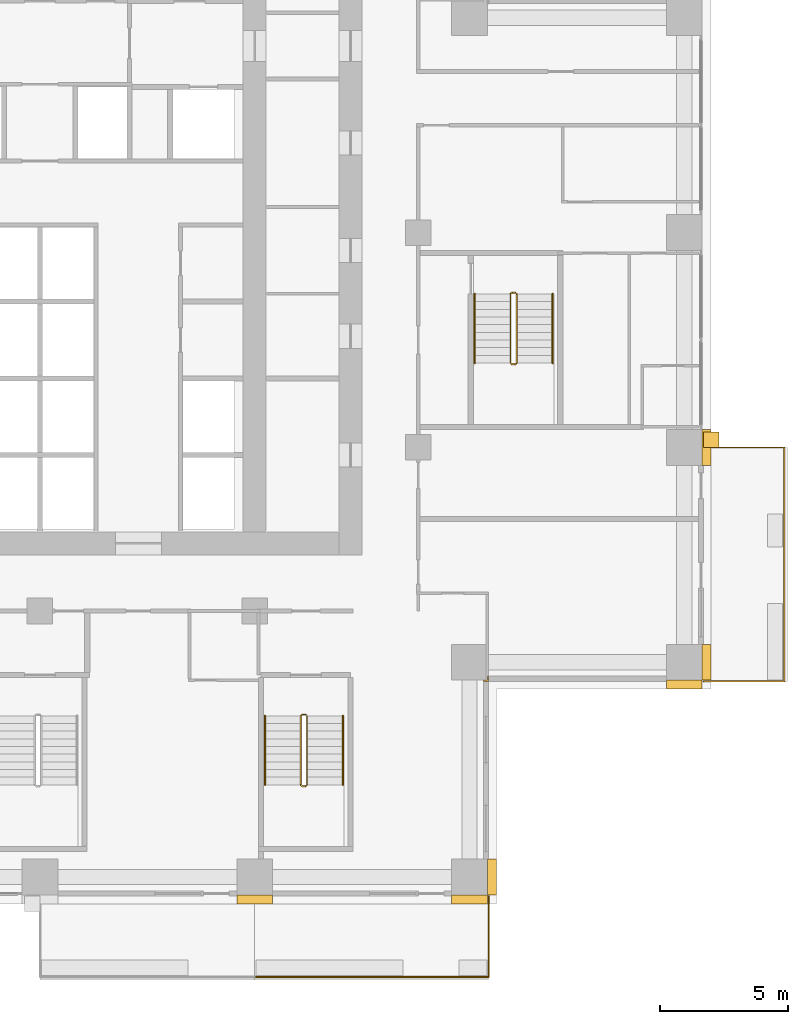
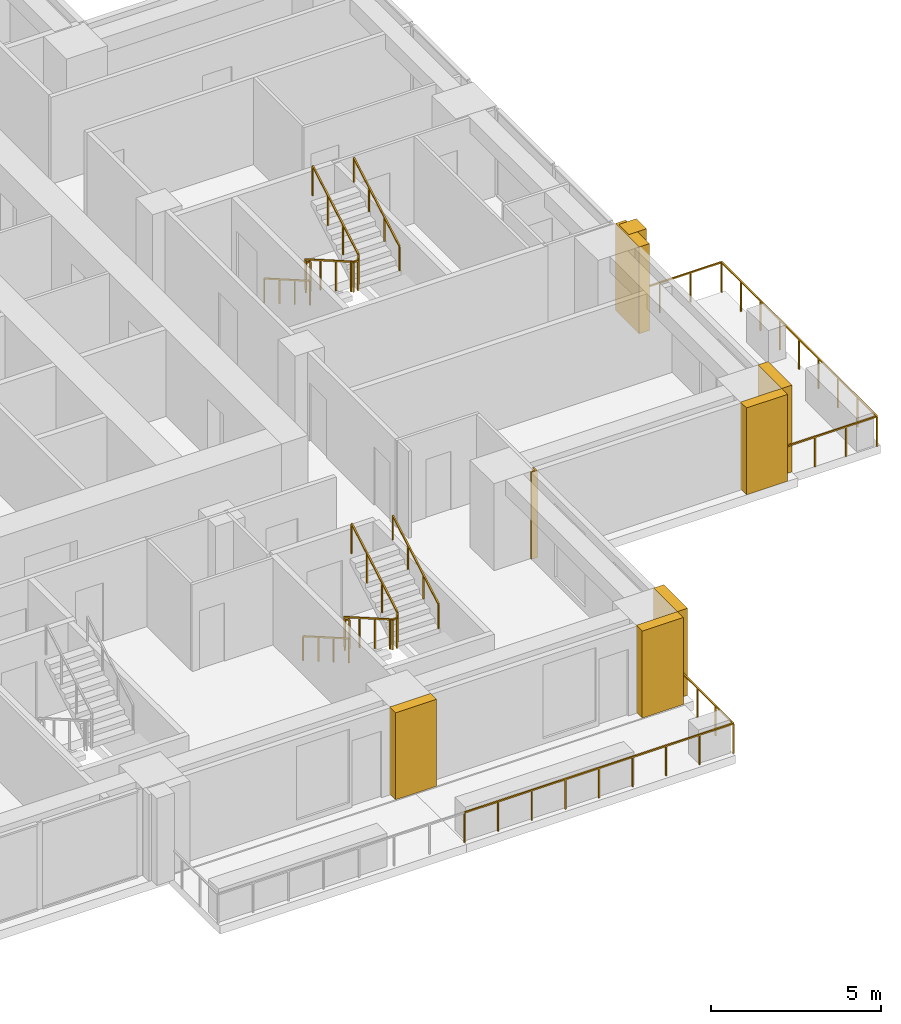
# One storey, part 16 of 17: 8 coverings, 8 railings.
"""IFC4 building model written with IfcOpenShell, lengths in metres."""

from ifc_helpers import new_model, si_unit, direction, frame, origin, origin_2d, place, context, subcontext, project, spatial, polyline, rectangle, outline, extrude, material, type_object, element, save


model = new_model("IFC4")

# Units and contexts
model_context = context("Model", 3, precision=1e-05, world=origin(), true_north=direction((0.0, 1.0)))
body_context = subcontext(model_context, "Body", "Model", "MODEL_VIEW")
ifc_project = project(units=[si_unit("LENGTHUNIT", "METRE"), si_unit("AREAUNIT", "SQUARE_METRE"), si_unit("VOLUMEUNIT", "CUBIC_METRE"), si_unit("PLANEANGLEUNIT", "RADIAN"), si_unit("MASSUNIT", "GRAM", prefix="KILO")], contexts=[model_context])

# Site, building, storey
site_placement = place(None, origin())
site = spatial("IfcSite", under=ifc_project, at=site_placement, CompositionType="ELEMENT")
building_placement = place(site_placement, origin())
building = spatial("IfcBuilding", under=site, at=building_placement, Name="Vermilion Ogive Tower", CompositionType="ELEMENT")
storey_placement = place(building_placement, frame((0.0, 0.0, 65.550048828125)))
storey = spatial("IfcBuildingStorey", under=building, at=storey_placement, Name="L15", CompositionType="ELEMENT", Elevation=65.550048828125)

# Railings
ifc_material_1 = material(Name="Stainless steel and glass", Category="steel")
railing_type_1 = type_object("IfcRailingType", Name="Balcony guard", PredefinedType="GUARDRAIL", material=ifc_material_1)
railing_1_placement = place(storey_placement, frame((8.39990234375, -24.909912109375, -0.0400390625)))
element("IfcRailing", 1, at=railing_1_placement, inside=storey, type_object=railing_type_1, Name="Guard S04", PredefinedType="GUARDRAIL", context=body_context, shape_type="SweptSolid", body=[
    extrude(rectangle(XDim=0.048095703125, YDim=0.048095703125, at=origin_2d()), frame((0.0, 0.0, 1.076171875), z_axis=(1.0, 0.0, 0.0), x_axis=(0.0, 1.0, 0.0)), (0.0, 0.0, 1.0), 9.150146484375),
    extrude(rectangle(XDim=0.048095703125, YDim=0.048095703125, at=origin_2d()), frame((9.150146484375, 0.0, 1.076171875), z_axis=(0.0, 1.0, 0.0), x_axis=(-1.0, 0.0, 0.0)), (0.0, 0.0, 1.0), 3.159912109375),
    extrude(rectangle(XDim=0.0419921875, YDim=0.0419921875, at=origin_2d()), origin(), (0.0, 0.0, 1.0), 1.052001953125),
    extrude(rectangle(XDim=0.0419921875, YDim=0.0419921875, at=origin_2d()), frame((1.143798828125, 0.0, 0.0)), (0.0, 0.0, 1.0), 1.052001953125),
    extrude(rectangle(XDim=0.0419921875, YDim=0.0419921875, at=origin_2d()), frame((2.28759765625, 0.0, 0.0)), (0.0, 0.0, 1.0), 1.052001953125),
    extrude(rectangle(XDim=0.0419921875, YDim=0.0419921875, at=origin_2d()), frame((3.431396484375, 0.0, 0.0)), (0.0, 0.0, 1.0), 1.052001953125),
    extrude(rectangle(XDim=0.0419921875, YDim=0.0419921875, at=origin_2d()), frame((4.5751953125, 0.0, 0.0)), (0.0, 0.0, 1.0), 1.052001953125),
    extrude(rectangle(XDim=0.0419921875, YDim=0.0419921875, at=origin_2d()), frame((5.71875, 0.0, 0.0)), (0.0, 0.0, 1.0), 1.052001953125),
    extrude(rectangle(XDim=0.0419921875, YDim=0.0419921875, at=origin_2d()), frame((6.862548828125, 0.0, 0.0)), (0.0, 0.0, 1.0), 1.052001953125),
    extrude(rectangle(XDim=0.0419921875, YDim=0.0419921875, at=origin_2d()), frame((8.00634765625, 0.0, 0.0)), (0.0, 0.0, 1.0), 1.052001953125),
    extrude(rectangle(XDim=0.0419921875, YDim=0.0419921875, at=origin_2d()), frame((9.150146484375, 0.0, 0.0)), (0.0, 0.0, 1.0), 1.052001953125),
    extrude(rectangle(XDim=0.0419921875, YDim=0.0419921875, at=origin_2d()), frame((9.150146484375, 1.05322265625, 0.0)), (0.0, 0.0, 1.0), 1.052001953125),
    extrude(rectangle(XDim=0.0419921875, YDim=0.0419921875, at=origin_2d()), frame((9.150146484375, 2.106689453125, 0.0)), (0.0, 0.0, 1.0), 1.052001953125),
    extrude(rectangle(XDim=0.0419921875, YDim=0.0419921875, at=origin_2d()), frame((9.150146484375, 3.159912109375, 0.0)), (0.0, 0.0, 1.0), 1.052001953125),
])
railing_2_placement = place(storey_placement, frame((25.949951171875, -13.35009765625, -0.0400390625)))
element("IfcRailing", 2, at=railing_2_placement, inside=storey, type_object=railing_type_1, Name="Guard E01", PredefinedType="GUARDRAIL", context=body_context, shape_type="SweptSolid", body=[
    extrude(rectangle(XDim=0.048095703125, YDim=0.048095703125, at=origin_2d()), frame((0.0, 0.0, 1.076171875), z_axis=(1.0, 0.0, 0.0), x_axis=(0.0, 1.0, 0.0)), (0.0, 0.0, 1.0), 3.16015625),
    extrude(rectangle(XDim=0.048095703125, YDim=0.048095703125, at=origin_2d()), frame((3.16015625, 0.0, 1.076171875), z_axis=(0.0, 1.0, 0.0), x_axis=(-1.0, 0.0, 0.0)), (0.0, 0.0, 1.0), 9.150146484375),
    extrude(rectangle(XDim=0.048095703125, YDim=0.048095703125, at=origin_2d()), frame((3.16015625, 9.150146484375, 1.076171875), z_axis=(-1.0, 0.0, 0.0), x_axis=(0.0, -1.0, 0.0)), (0.0, 0.0, 1.0), 3.16015625),
    extrude(rectangle(XDim=0.0419921875, YDim=0.0419921875, at=origin_2d()), origin(), (0.0, 0.0, 1.0), 1.052001953125),
    extrude(rectangle(XDim=0.0419921875, YDim=0.0419921875, at=origin_2d()), frame((1.053466796875, 0.0, 0.0)), (0.0, 0.0, 1.0), 1.052001953125),
    extrude(rectangle(XDim=0.0419921875, YDim=0.0419921875, at=origin_2d()), frame((2.106689453125, 0.0, 0.0)), (0.0, 0.0, 1.0), 1.052001953125),
    extrude(rectangle(XDim=0.0419921875, YDim=0.0419921875, at=origin_2d()), frame((3.16015625, 0.0, 0.0)), (0.0, 0.0, 1.0), 1.052001953125),
    extrude(rectangle(XDim=0.0419921875, YDim=0.0419921875, at=origin_2d()), frame((3.16015625, 1.143798828125, 0.0)), (0.0, 0.0, 1.0), 1.052001953125),
    extrude(rectangle(XDim=0.0419921875, YDim=0.0419921875, at=origin_2d()), frame((3.16015625, 2.28759765625, 0.0)), (0.0, 0.0, 1.0), 1.052001953125),
    extrude(rectangle(XDim=0.0419921875, YDim=0.0419921875, at=origin_2d()), frame((3.16015625, 3.431396484375, 0.0)), (0.0, 0.0, 1.0), 1.052001953125),
    extrude(rectangle(XDim=0.0419921875, YDim=0.0419921875, at=origin_2d()), frame((3.16015625, 4.5751953125, 0.0)), (0.0, 0.0, 1.0), 1.052001953125),
    extrude(rectangle(XDim=0.0419921875, YDim=0.0419921875, at=origin_2d()), frame((3.16015625, 5.71875, 0.0)), (0.0, 0.0, 1.0), 1.052001953125),
    extrude(rectangle(XDim=0.0419921875, YDim=0.0419921875, at=origin_2d()), frame((3.16015625, 6.862548828125, 0.0)), (0.0, 0.0, 1.0), 1.052001953125),
    extrude(rectangle(XDim=0.0419921875, YDim=0.0419921875, at=origin_2d()), frame((3.16015625, 8.00634765625, 0.0)), (0.0, 0.0, 1.0), 1.052001953125),
    extrude(rectangle(XDim=0.0419921875, YDim=0.0419921875, at=origin_2d()), frame((3.16015625, 9.150146484375, 0.0)), (0.0, 0.0, 1.0), 1.052001953125),
    extrude(rectangle(XDim=0.0419921875, YDim=0.0419921875, at=origin_2d()), frame((2.106689453125, 9.150146484375, 0.0)), (0.0, 0.0, 1.0), 1.052001953125),
    extrude(rectangle(XDim=0.0419921875, YDim=0.0419921875, at=origin_2d()), frame((1.053466796875, 9.150146484375, 0.0)), (0.0, 0.0, 1.0), 1.052001953125),
    extrude(rectangle(XDim=0.0419921875, YDim=0.0419921875, at=origin_2d()), frame((0.0, 9.150146484375, 0.0)), (0.0, 0.0, 1.0), 1.052001953125),
])
ifc_material_2 = material(Name="Steel S355 painted", Category="steel")
railing_type_2 = type_object("IfcRailingType", Name="Stair guard 1100", PredefinedType="GUARDRAIL", material=ifc_material_2)
railing_3_placement = place(storey_placement, frame((10.39990234375, -14.64990234375, 0.0)))
element("IfcRailing", 3, at=railing_3_placement, inside=storey, type_object=railing_type_2, Name="L15 ST5 stair guard 4", PredefinedType="GUARDRAIL", context=body_context, shape_type="SweptSolid", body=[
    extrude(rectangle(XDim=0.048095703125, YDim=0.048095703125, at=origin_2d()), frame((0.0, 0.0, 1.076171875), z_axis=(-1.0, 0.0, 0.0), x_axis=(0.0, -1.0, 0.0)), (0.0, 0.0, 1.0), 0.14990234375),
    extrude(rectangle(XDim=0.048095703125, YDim=0.048095703125, at=origin_2d()), frame((-0.14990234375, 0.0, 1.076171875), z_axis=(-0.268603158521, -0.268603158521, 0.925043072762), x_axis=(0.707106781187, -0.707106781187, 0.0)), (0.0, 0.0, 1.0), 0.186279296875),
    extrude(rectangle(XDim=0.048095703125, YDim=0.048095703125, at=origin_2d()), frame((-0.199951171875, -0.050048828125, 1.24853515625), z_axis=(0.0, -0.866903762492, 0.498475542607), x_axis=(1.0, 0.0, 0.0)), (0.0, 0.0, 1.0), 3.114501953125),
    extrude(rectangle(XDim=0.048095703125, YDim=0.048095703125, at=origin_2d()), frame((-0.199951171875, -2.75, 2.80078125), z_axis=(0.707106781187, -0.707106781187, 0.0), x_axis=(0.707106781187, 0.707106781187, 0.0)), (0.0, 0.0, 1.0), 0.07080078125),
    extrude(rectangle(XDim=0.048095703125, YDim=0.048095703125, at=origin_2d()), frame((-0.14990234375, -2.800048828125, 2.80078125), z_axis=(1.0, 0.0, 0.0), x_axis=(0.0, 1.0, 0.0)), (0.0, 0.0, 1.0), 0.14990234375),
    extrude(rectangle(XDim=0.048095703125, YDim=0.048095703125, at=origin_2d()), frame((0.0, -2.800048828125, 2.80078125), z_axis=(0.268277960024, 0.268277960024, 0.925231793839), x_axis=(-0.707106781187, 0.707106781187, 0.0)), (0.0, 0.0, 1.0), 0.1865234375),
    extrude(rectangle(XDim=0.048095703125, YDim=0.048095703125, at=origin_2d()), frame((0.050048828125, -2.75, 2.9736328125), z_axis=(0.0, 0.866903762492, 0.498475542607), x_axis=(-1.0, 0.0, 0.0)), (0.0, 0.0, 1.0), 3.114501953125),
    extrude(rectangle(XDim=0.0419921875, YDim=0.0419921875, at=origin_2d()), origin(), (0.0, 0.0, 1.0), 1.052001953125),
    extrude(rectangle(XDim=0.0419921875, YDim=0.0419921875, at=origin_2d()), frame((-0.14990234375, 0.0, 0.0)), (0.0, 0.0, 1.0), 1.052001953125),
    extrude(rectangle(XDim=0.0419921875, YDim=0.0419921875, at=origin_2d()), frame((-0.199951171875, -0.050048828125, 0.17236328125)), (0.0, 0.0, 1.0), 1.052001953125),
    extrude(rectangle(XDim=0.0419921875, YDim=0.0419921875, at=origin_2d()), frame((-0.199951171875, -0.949951171875, 0.68994140625)), (0.0, 0.0, 1.0), 1.052001953125),
    extrude(rectangle(XDim=0.0419921875, YDim=0.0419921875, at=origin_2d()), frame((-0.199951171875, -1.85009765625, 1.207275390625)), (0.0, 0.0, 1.0), 1.052001953125),
    extrude(rectangle(XDim=0.0419921875, YDim=0.0419921875, at=origin_2d()), frame((-0.199951171875, -2.75, 1.724853515625)), (0.0, 0.0, 1.0), 1.052001953125),
    extrude(rectangle(XDim=0.0419921875, YDim=0.0419921875, at=origin_2d()), frame((-0.14990234375, -2.800048828125, 1.724853515625)), (0.0, 0.0, 1.0), 1.052001953125),
    extrude(rectangle(XDim=0.0419921875, YDim=0.0419921875, at=origin_2d()), frame((0.0, -2.800048828125, 1.724853515625)), (0.0, 0.0, 1.0), 1.052001953125),
    extrude(rectangle(XDim=0.0419921875, YDim=0.0419921875, at=origin_2d()), frame((0.050048828125, -2.75, 1.8974609375)), (0.0, 0.0, 1.0), 1.052001953125),
    extrude(rectangle(XDim=0.0419921875, YDim=0.0419921875, at=origin_2d()), frame((0.050048828125, -1.85009765625, 2.4150390625)), (0.0, 0.0, 1.0), 1.052001953125),
    extrude(rectangle(XDim=0.0419921875, YDim=0.0419921875, at=origin_2d()), frame((0.050048828125, -0.949951171875, 2.932373046875)), (0.0, 0.0, 1.0), 1.052001953125),
    extrude(rectangle(XDim=0.0419921875, YDim=0.0419921875, at=origin_2d()), frame((0.050048828125, -0.050048828125, 3.449951171875)), (0.0, 0.0, 1.0), 1.052001953125),
])
railing_4_placement = place(storey_placement, frame((18.60009765625, 1.85009765625, 0.0)))
element("IfcRailing", 4, at=railing_4_placement, inside=storey, type_object=railing_type_2, Name="L15 ST8 stair guard 4", PredefinedType="GUARDRAIL", context=body_context, shape_type="SweptSolid", body=[
    extrude(rectangle(XDim=0.048095703125, YDim=0.048095703125, at=origin_2d()), frame((0.0, 0.0, 1.076171875), z_axis=(-1.0, 0.0, 0.0), x_axis=(0.0, -1.0, 0.0)), (0.0, 0.0, 1.0), 0.150146484375),
    extrude(rectangle(XDim=0.048095703125, YDim=0.048095703125, at=origin_2d()), frame((-0.150146484375, 0.0, 1.076171875), z_axis=(-0.268603158521, -0.268603158521, 0.925043072762), x_axis=(0.707106781187, -0.707106781187, 0.0)), (0.0, 0.0, 1.0), 0.186279296875),
    extrude(rectangle(XDim=0.048095703125, YDim=0.048095703125, at=origin_2d()), frame((-0.2001953125, -0.050048828125, 1.24853515625), z_axis=(0.0, -0.866903762492, 0.498475542607), x_axis=(1.0, 0.0, 0.0)), (0.0, 0.0, 1.0), 3.114501953125),
    extrude(rectangle(XDim=0.048095703125, YDim=0.048095703125, at=origin_2d()), frame((-0.2001953125, -2.75, 2.80078125), z_axis=(0.707106781187, -0.707106781187, 0.0), x_axis=(0.707106781187, 0.707106781187, 0.0)), (0.0, 0.0, 1.0), 0.07080078125),
    extrude(rectangle(XDim=0.048095703125, YDim=0.048095703125, at=origin_2d()), frame((-0.150146484375, -2.800048828125, 2.80078125), z_axis=(1.0, 0.0, 0.0), x_axis=(0.0, 1.0, 0.0)), (0.0, 0.0, 1.0), 0.150146484375),
    extrude(rectangle(XDim=0.048095703125, YDim=0.048095703125, at=origin_2d()), frame((0.0, -2.800048828125, 2.80078125), z_axis=(0.267062837333, 0.268371968888, 0.925556009775), x_axis=(-0.708833529934, 0.705375805398, 0.0)), (0.0, 0.0, 1.0), 0.1865234375),
    extrude(rectangle(XDim=0.048095703125, YDim=0.048095703125, at=origin_2d()), frame((0.0498046875, -2.75, 2.9736328125), z_axis=(0.0, 0.866903762492, 0.498475542607), x_axis=(-1.0, 0.0, 0.0)), (0.0, 0.0, 1.0), 3.114501953125),
    extrude(rectangle(XDim=0.0419921875, YDim=0.0419921875, at=origin_2d()), origin(), (0.0, 0.0, 1.0), 1.052001953125),
    extrude(rectangle(XDim=0.0419921875, YDim=0.0419921875, at=origin_2d()), frame((-0.150146484375, 0.0, 0.0)), (0.0, 0.0, 1.0), 1.052001953125),
    extrude(rectangle(XDim=0.0419921875, YDim=0.0419921875, at=origin_2d()), frame((-0.2001953125, -0.050048828125, 0.17236328125)), (0.0, 0.0, 1.0), 1.052001953125),
    extrude(rectangle(XDim=0.0419921875, YDim=0.0419921875, at=origin_2d()), frame((-0.2001953125, -0.949951171875, 0.68994140625)), (0.0, 0.0, 1.0), 1.052001953125),
    extrude(rectangle(XDim=0.0419921875, YDim=0.0419921875, at=origin_2d()), frame((-0.2001953125, -1.85009765625, 1.207275390625)), (0.0, 0.0, 1.0), 1.052001953125),
    extrude(rectangle(XDim=0.0419921875, YDim=0.0419921875, at=origin_2d()), frame((-0.2001953125, -2.75, 1.724853515625)), (0.0, 0.0, 1.0), 1.052001953125),
    extrude(rectangle(XDim=0.0419921875, YDim=0.0419921875, at=origin_2d()), frame((-0.150146484375, -2.800048828125, 1.724853515625)), (0.0, 0.0, 1.0), 1.052001953125),
    extrude(rectangle(XDim=0.0419921875, YDim=0.0419921875, at=origin_2d()), frame((0.0, -2.800048828125, 1.724853515625)), (0.0, 0.0, 1.0), 1.052001953125),
    extrude(rectangle(XDim=0.0419921875, YDim=0.0419921875, at=origin_2d()), frame((0.0498046875, -2.75, 1.8974609375)), (0.0, 0.0, 1.0), 1.052001953125),
    extrude(rectangle(XDim=0.0419921875, YDim=0.0419921875, at=origin_2d()), frame((0.0498046875, -1.85009765625, 2.4150390625)), (0.0, 0.0, 1.0), 1.052001953125),
    extrude(rectangle(XDim=0.0419921875, YDim=0.0419921875, at=origin_2d()), frame((0.0498046875, -0.949951171875, 2.932373046875)), (0.0, 0.0, 1.0), 1.052001953125),
    extrude(rectangle(XDim=0.0419921875, YDim=0.0419921875, at=origin_2d()), frame((0.0498046875, -0.050048828125, 3.449951171875)), (0.0, 0.0, 1.0), 1.052001953125),
])
ifc_material_3 = material(Name="Stainless steel", Category="steel")
railing_type_3 = type_object("IfcRailingType", Name="Stair handrail 900", PredefinedType="HANDRAIL", material=ifc_material_3)
railing_5_placement = place(storey_placement, frame((8.800048828125, -14.699951171875, 0.17236328125)))
element("IfcRailing", 5, at=railing_5_placement, inside=storey, type_object=railing_type_3, Name="L15 ST5 stair handrail 1", PredefinedType="HANDRAIL", context=body_context, shape_type="SweptSolid", body=[
    extrude(rectangle(XDim=0.048095703125, YDim=0.048095703125, at=origin_2d()), frame((0.0, 0.0, 0.8759765625), z_axis=(0.0, -0.866903762492, 0.498475542607), x_axis=(1.0, 0.0, 0.0)), (0.0, 0.0, 1.0), 3.114501953125),
    extrude(rectangle(XDim=0.0419921875, YDim=0.0419921875, at=origin_2d()), origin(), (0.0, 0.0, 1.0), 0.851806640625),
    extrude(rectangle(XDim=0.0419921875, YDim=0.0419921875, at=origin_2d()), frame((0.0, -0.89990234375, 0.517578125)), (0.0, 0.0, 1.0), 0.851806640625),
    extrude(rectangle(XDim=0.0419921875, YDim=0.0419921875, at=origin_2d()), frame((0.0, -1.800048828125, 1.034912109375)), (0.0, 0.0, 1.0), 0.851806640625),
    extrude(rectangle(XDim=0.0419921875, YDim=0.0419921875, at=origin_2d()), frame((0.0, -2.699951171875, 1.552490234375)), (0.0, 0.0, 1.0), 0.851806640625),
])
railing_6_placement = place(storey_placement, frame((11.85009765625, -17.39990234375, 1.8974609375)))
element("IfcRailing", 6, at=railing_6_placement, inside=storey, type_object=railing_type_3, Name="L15 ST5 stair handrail 2", PredefinedType="HANDRAIL", context=body_context, shape_type="SweptSolid", body=[
    extrude(rectangle(XDim=0.048095703125, YDim=0.048095703125, at=origin_2d()), frame((0.0, 0.0, 0.8759765625), z_axis=(0.0, 0.866903762492, 0.498475542607), x_axis=(-1.0, 0.0, 0.0)), (0.0, 0.0, 1.0), 3.114501953125),
    extrude(rectangle(XDim=0.0419921875, YDim=0.0419921875, at=origin_2d()), origin(), (0.0, 0.0, 1.0), 0.851806640625),
    extrude(rectangle(XDim=0.0419921875, YDim=0.0419921875, at=origin_2d()), frame((0.0, 0.89990234375, 0.517578125)), (0.0, 0.0, 1.0), 0.851806640625),
    extrude(rectangle(XDim=0.0419921875, YDim=0.0419921875, at=origin_2d()), frame((0.0, 1.800048828125, 1.034912109375)), (0.0, 0.0, 1.0), 0.851806640625),
    extrude(rectangle(XDim=0.0419921875, YDim=0.0419921875, at=origin_2d()), frame((0.0, 2.699951171875, 1.552490234375)), (0.0, 0.0, 1.0), 0.851806640625),
])
railing_7_placement = place(storey_placement, frame((17.0, 1.800048828125, 0.17236328125)))
element("IfcRailing", 7, at=railing_7_placement, inside=storey, type_object=railing_type_3, Name="L15 ST8 stair handrail 1", PredefinedType="HANDRAIL", context=body_context, shape_type="SweptSolid", body=[
    extrude(rectangle(XDim=0.048095703125, YDim=0.048095703125, at=origin_2d()), frame((0.0, 0.0, 0.8759765625), z_axis=(0.0, -0.866903762492, 0.498475542607), x_axis=(1.0, 0.0, 0.0)), (0.0, 0.0, 1.0), 3.114501953125),
    extrude(rectangle(XDim=0.0419921875, YDim=0.0419921875, at=origin_2d()), origin(), (0.0, 0.0, 1.0), 0.851806640625),
    extrude(rectangle(XDim=0.0419921875, YDim=0.0419921875, at=origin_2d()), frame((0.0, -0.89990234375, 0.517578125)), (0.0, 0.0, 1.0), 0.851806640625),
    extrude(rectangle(XDim=0.0419921875, YDim=0.0419921875, at=origin_2d()), frame((0.0, -1.800048828125, 1.034912109375)), (0.0, 0.0, 1.0), 0.851806640625),
    extrude(rectangle(XDim=0.0419921875, YDim=0.0419921875, at=origin_2d()), frame((0.0, -2.699951171875, 1.552490234375)), (0.0, 0.0, 1.0), 0.851806640625),
])
railing_8_placement = place(storey_placement, frame((20.050048828125, -0.89990234375, 1.8974609375)))
element("IfcRailing", 8, at=railing_8_placement, inside=storey, type_object=railing_type_3, Name="L15 ST8 stair handrail 2", PredefinedType="HANDRAIL", context=body_context, shape_type="SweptSolid", body=[
    extrude(rectangle(XDim=0.048095703125, YDim=0.048095703125, at=origin_2d()), frame((0.0, 0.0, 0.8759765625), z_axis=(0.0, 0.866903762492, 0.498475542607), x_axis=(-1.0, 0.0, 0.0)), (0.0, 0.0, 1.0), 3.114501953125),
    extrude(rectangle(XDim=0.0419921875, YDim=0.0419921875, at=origin_2d()), origin(), (0.0, 0.0, 1.0), 0.851806640625),
    extrude(rectangle(XDim=0.0419921875, YDim=0.0419921875, at=origin_2d()), frame((0.0, 0.89990234375, 0.517578125)), (0.0, 0.0, 1.0), 0.851806640625),
    extrude(rectangle(XDim=0.0419921875, YDim=0.0419921875, at=origin_2d()), frame((0.0, 1.800048828125, 1.034912109375)), (0.0, 0.0, 1.0), 0.851806640625),
    extrude(rectangle(XDim=0.0419921875, YDim=0.0419921875, at=origin_2d()), frame((0.0, 2.699951171875, 1.552490234375)), (0.0, 0.0, 1.0), 0.851806640625),
])

# Coverings
ifc_material_4 = material(Name="Stone cladding", Category="masonry")
covering_type_1 = type_object("IfcCoveringType", Name="Stone corner buttress", PredefinedType="CLADDING", material=ifc_material_4)
covering_1_placement = place(storey_placement, origin())
element("IfcCovering", 9, at=covering_1_placement, inside=storey, type_object=covering_type_1, Name="Stone crease pier EK", PredefinedType="CLADDING", context=body_context, shape_type="SweptSolid", body=[
    extrude(outline(polyline([(26.550048828125, -4.199951171875), (26.550048828125, -3.60009765625), (25.949951171875, -3.60009765625), (25.949951171875, -4.199951171875), (26.550048828125, -4.199951171875)])), origin(), (0.0, 0.0, 1.0), 3.1298828125),
])
ifc_material_5 = material(Name="Stone cladding", Category="masonry")
covering_type_2 = type_object("IfcCoveringType", Name="Stone pier", PredefinedType="CLADDING", material=ifc_material_5)
covering_2_placement = place(storey_placement, origin())
element("IfcCovering", 10, at=covering_2_placement, inside=storey, type_object=covering_type_2, Name="Stone corner pier X1E1", PredefinedType="CLADDING", context=body_context, shape_type="SweptSolid", body=[
    extrude(outline(polyline([(17.35009765625, -13.300048828125), (17.5, -13.300048828125), (17.5, -13.14990234375), (17.550048828125, -13.14990234375), (17.550048828125, -13.35009765625), (17.35009765625, -13.35009765625), (17.35009765625, -13.300048828125)])), origin(), (0.0, 0.0, 1.0), 3.1298828125),
])
covering_3_placement = place(storey_placement, origin())
element("IfcCovering", 11, at=covering_3_placement, inside=storey, type_object=covering_type_2, Name="Stone pier P+0084-210", PredefinedType="CLADDING", context=body_context, shape_type="SweptSolid", body=[
    extrude(outline(polyline([(9.10009765625, -21.699951171875), (9.10009765625, -22.050048828125), (7.699951171875, -22.050048828125), (7.699951171875, -21.699951171875), (9.10009765625, -21.699951171875), (9.10009765625, -21.699951171875)])), origin(), (0.0, 0.0, 1.0), 3.1298828125),
])
covering_4_placement = place(storey_placement, origin())
element("IfcCovering", 12, at=covering_4_placement, inside=storey, type_object=covering_type_2, Name="Stone pier P+0168-210S", PredefinedType="CLADDING", context=body_context, shape_type="SweptSolid", body=[
    extrude(outline(polyline([(17.5, -21.699951171875), (17.5, -21.699951171875), (17.5, -22.050048828125), (16.10009765625, -22.050048828125), (16.10009765625, -21.699951171875), (16.10009765625, -21.699951171875), (17.5, -21.699951171875)])), origin(), (0.0, 0.0, 1.0), 3.1298828125),
])
covering_5_placement = place(storey_placement, origin())
element("IfcCovering", 13, at=covering_5_placement, inside=storey, type_object=covering_type_2, Name="Stone pier P+0168-210X1", PredefinedType="CLADDING", context=body_context, shape_type="SweptSolid", body=[
    extrude(outline(polyline([(17.85009765625, -21.699951171875), (17.5, -21.699951171875), (17.5, -21.699951171875), (17.5, -20.300048828125), (17.85009765625, -20.300048828125), (17.85009765625, -21.699951171875)])), origin(), (0.0, 0.0, 1.0), 3.1298828125),
])
covering_6_placement = place(storey_placement, origin())
element("IfcCovering", 14, at=covering_6_placement, inside=storey, type_object=covering_type_2, Name="Stone pier P+0252-042", PredefinedType="CLADDING", context=body_context, shape_type="SweptSolid", body=[
    extrude(outline(polyline([(26.25, -3.5), (26.25, -3.60009765625), (25.949951171875, -3.60009765625), (25.949951171875, -4.199951171875), (26.25, -4.199951171875), (26.25, -4.89990234375), (25.89990234375, -4.89990234375), (25.89990234375, -3.5), (26.25, -3.5)])), origin(), (0.0, 0.0, 1.0), 3.1298828125),
])
covering_7_placement = place(storey_placement, origin())
element("IfcCovering", 15, at=covering_7_placement, inside=storey, type_object=covering_type_2, Name="Stone pier P+0252-126X2", PredefinedType="CLADDING", context=body_context, shape_type="SweptSolid", body=[
    extrude(outline(polyline([(25.89990234375, -13.300048828125), (25.89990234375, -13.64990234375), (24.5, -13.64990234375), (24.5, -13.300048828125), (24.5, -13.300048828125), (25.89990234375, -13.300048828125)])), origin(), (0.0, 0.0, 1.0), 3.1298828125),
])
covering_8_placement = place(storey_placement, origin())
element("IfcCovering", 16, at=covering_8_placement, inside=storey, type_object=covering_type_2, Name="Stone pier P+0252-126E", PredefinedType="CLADDING", context=body_context, shape_type="SweptSolid", body=[
    extrude(outline(polyline([(26.25, -13.300048828125), (25.89990234375, -13.300048828125), (25.89990234375, -11.89990234375), (26.25, -11.89990234375), (26.25, -13.300048828125)])), origin(), (0.0, 0.0, 1.0), 3.1298828125),
])

save(model, "model.ifc")
